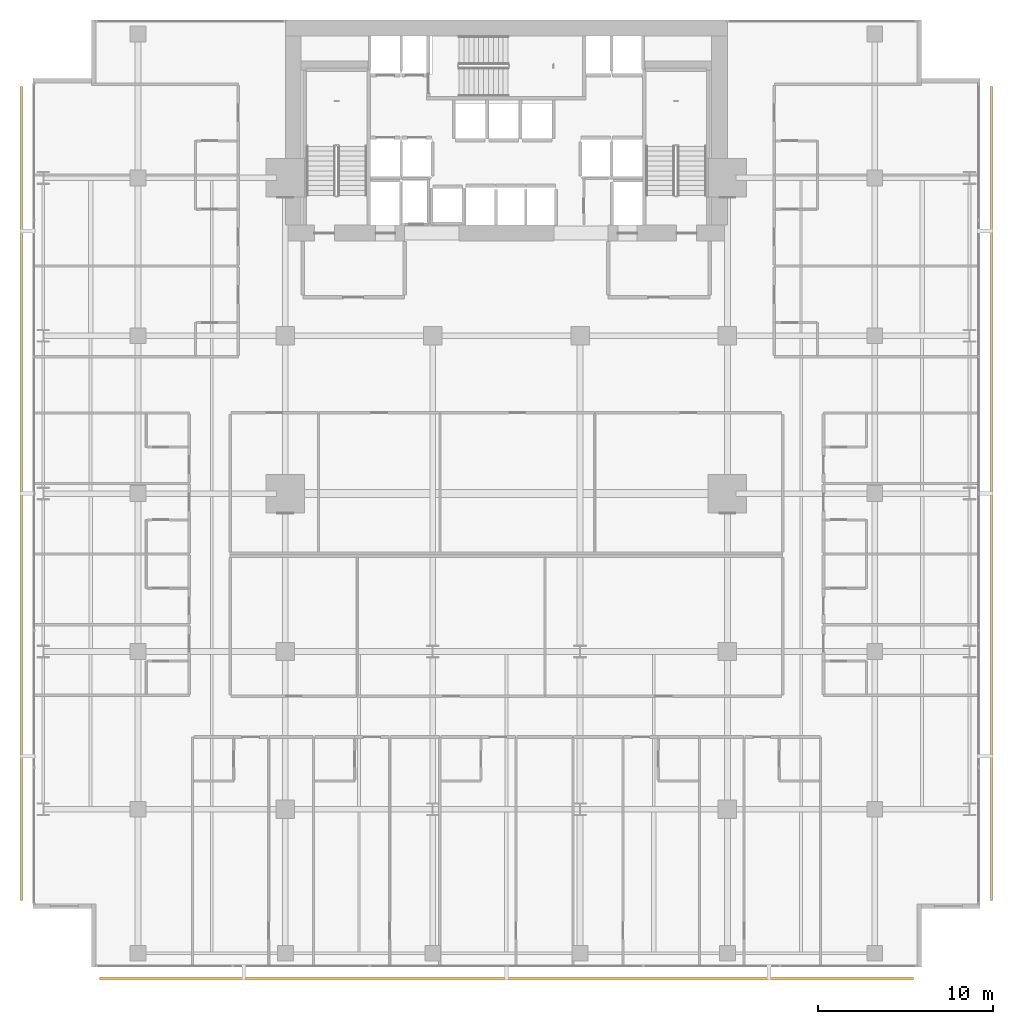
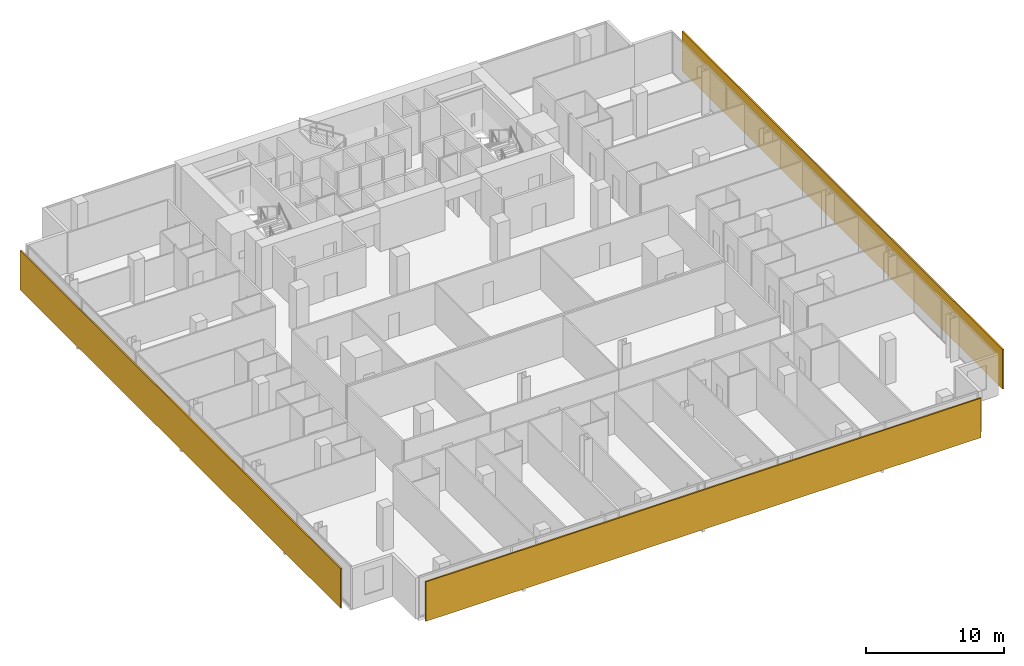
# One storey, part 39 of 40: 3 shading devices.
"""IFC4 building model written with IfcOpenShell, lengths in metres."""

import ifcopenshell
import ifcopenshell.guid

model = None  # the IFC model being written
_history = None  # IfcOwnerHistory: only IFC2X3 demands one
_inside = {}  # id of a spatial element -> (the spatial element, [elements in it])
_under = {}  # id of a project, library or spatial element -> (it, [spatial elements below it])
_declared = {}  # id of a project -> (the project, [libraries it declares])
_typed = {}  # id of a type object -> (the type object, [elements of that type])
_made_of = {}  # id of a material, layer set ... -> (it, [elements and type objects made of it])


def new_model(schema):
    """Start an empty IFC model of exactly this schema.

    Asked for "IFC4X3", IfcOpenShell would pick the latest addendum, in which some entities
    have other attributes; the version numbers below select the first issue.
    IFC2X3 requires an IfcOwnerHistory on every rooted entity: one is made here for all.
    """
    global model, _history
    if schema == "IFC4X3":
        model = ifcopenshell.file(schema_version=(4, 3, 0, 0))
    else:
        model = ifcopenshell.file(schema=schema)
    _inside.clear()
    _under.clear()
    _declared.clear()
    _typed.clear()
    _made_of.clear()
    _history = None
    if model.schema == "IFC2X3":
        org = make("IfcOrganization", Name="unknown")
        user = make(
            "IfcPersonAndOrganization",
            ThePerson=make("IfcPerson", FamilyName="unknown"),
            TheOrganization=org,
        )
        app = make(
            "IfcApplication",
            ApplicationDeveloper=org,
            Version="unknown",
            ApplicationFullName="unknown",
            ApplicationIdentifier="unknown",
        )
        _history = make(
            "IfcOwnerHistory",
            OwningUser=user,
            OwningApplication=app,
            ChangeAction="ADDED",
            CreationDate=0,
        )
    return model


def make(cls, **values):
    """One entity of the class cls with the attributes given. An attribute that is None is left unset."""
    return model.create_entity(
        cls, **{name: value for name, value in values.items() if value is not None}
    )


def rooted(cls, **values):
    """An entity with a GlobalId (a new one), such as an element, a storey or a relation."""
    return make(cls, GlobalId=ifcopenshell.guid.new(), OwnerHistory=_history, **values)


def si_unit(unit_type, name, prefix=None):
    """IfcSIUnit, for example si_unit("LENGTHUNIT", "METRE", prefix="MILLI")."""
    return make("IfcSIUnit", UnitType=unit_type, Prefix=prefix, Name=name)


def assignment(units):
    """IfcUnitAssignment: the units of a project."""
    return None if units is None else make("IfcUnitAssignment", Units=units)


def point(xyz):
    """IfcCartesianPoint."""
    return None if xyz is None else make("IfcCartesianPoint", Coordinates=xyz)


def direction(xyz):
    """IfcDirection."""
    return None if xyz is None else make("IfcDirection", DirectionRatios=xyz)


def frame(location, z_axis=None, x_axis=None):
    """IfcAxis2Placement3D, a coordinate frame: its origin and axes. An axis left out is left unset."""
    return make(
        "IfcAxis2Placement3D",
        Location=point(location),
        Axis=direction(z_axis),
        RefDirection=direction(x_axis),
    )


def frame_2d(location, x_axis=None):
    """IfcAxis2Placement2D, a coordinate frame in the plane: its origin and x axis."""
    return make(
        "IfcAxis2Placement2D", Location=point(location), RefDirection=direction(x_axis)
    )


def origin():
    """The frame at (0, 0, 0) with its axes left unset."""
    return frame((0.0, 0.0, 0.0))


def origin_2d():
    """The frame at (0, 0) in the plane with its x axis left unset."""
    return frame_2d((0.0, 0.0))


def place(relative_to, where):
    """IfcLocalPlacement: puts the frame where relative to a parent placement (None: the world)."""
    return make(
        "IfcLocalPlacement", PlacementRelTo=relative_to, RelativePlacement=where
    )


def context(
    kind, dimensions, precision=None, world=None, true_north=None, identifier=None
):
    """IfcGeometricRepresentationContext, for example the 3D "Model" context."""
    return make(
        "IfcGeometricRepresentationContext",
        ContextIdentifier=identifier,
        ContextType=kind,
        CoordinateSpaceDimension=dimensions,
        Precision=precision,
        WorldCoordinateSystem=world,
        TrueNorth=true_north,
    )


def subcontext(parent, identifier, kind, view, scale=None):
    """IfcGeometricRepresentationSubContext, for example "Body" below "Model"."""
    return make(
        "IfcGeometricRepresentationSubContext",
        ContextIdentifier=identifier,
        ContextType=kind,
        ParentContext=parent,
        TargetScale=scale,
        TargetView=view,
    )


def project(units=None, contexts=None):
    """IfcProject with its units and contexts."""
    return rooted(
        "IfcProject",
        Name="project",
        RepresentationContexts=contexts,
        UnitsInContext=assignment(units),
    )


def spatial(cls, under=None, at=None, **own):
    """A site, building, storey or space (cls), placed at a placement, below another one or the project."""
    s = rooted(cls, ObjectPlacement=at, **own)
    if under is not None:
        _under.setdefault(under.id(), (under, []))[1].append(s)
    return s


def profile(cls, at=None, kind="AREA", **sizes):
    """A parametric profile (cls). Its sizes go by their IFC names, for example OverallWidth=200.0."""
    return make(cls, ProfileType=kind, Position=at, **sizes)


def rectangle(**sizes):
    """IfcRectangleProfileDef."""
    return profile("IfcRectangleProfileDef", **sizes)


def extrude(swept, where, along, depth):
    """IfcExtrudedAreaSolid: the profile swept, set in the frame where, extruded along a direction by depth."""
    return make(
        "IfcExtrudedAreaSolid",
        SweptArea=swept,
        Position=where,
        ExtrudedDirection=direction(along),
        Depth=depth,
    )


def shape(context_of_items, identifier, shape_type, items):
    """IfcShapeRepresentation: the items that make up one representation, for example the "Body"."""
    return make(
        "IfcShapeRepresentation",
        ContextOfItems=context_of_items,
        RepresentationIdentifier=identifier,
        RepresentationType=shape_type,
        Items=items,
    )


def material(Name=None, Category=None):
    """IfcMaterial."""
    return make("IfcMaterial", Name=Name, Category=Category)


def layer(
    of_material, thickness, ventilated=None, Name=None, Category=None, Priority=None
):
    """IfcMaterialLayer: one layer of a wall or slab, of a material (None: an air gap)."""
    return make(
        "IfcMaterialLayer",
        Material=of_material,
        LayerThickness=thickness,
        IsVentilated=ventilated,
        Name=Name,
        Category=Category,
        Priority=Priority,
    )


def layer_set(layers, Name=None):
    """IfcMaterialLayerSet."""
    return make("IfcMaterialLayerSet", MaterialLayers=layers, LayerSetName=Name)


def made_of(thing, what):
    """Note that an element or type object is made of a material, layer set ...; save() writes the relation."""
    if what is not None:
        _made_of.setdefault(what.id(), (what, []))[1].append(thing)
    return thing


def type_object(cls, material=None, **own):
    """A type object (cls), such as IfcWallType, which elements share."""
    return made_of(rooted(cls, **own), material)


def element(
    cls,
    number,
    at=None,
    inside=None,
    cuts=None,
    type_object=None,
    material=None,
    context=None,
    identifier="Body",
    shape_type=None,
    held_by="IfcProductDefinitionShape",
    body=None,
    shapes=None,
    **own,
):
    """One element of the class cls, such as IfcWall. Its Tag is "e" and its number.

    at: its placement. inside: the storey or other place that contains it. cuts: it is an
    opening in that element (IfcRelVoidsElement). A single representation is given by context,
    identifier, shape_type and body (its items); several are given by shapes. held_by: the class
    of the entity that holds the representations. save() writes the other relations.
    """
    e = rooted(cls, Tag="e%d" % number, ObjectPlacement=at, **own)
    if body is not None:
        shapes = [shape(context, identifier, shape_type, body)]
    if shapes is not None:
        e.Representation = make(held_by, Representations=shapes)
    if inside is not None:
        _inside.setdefault(inside.id(), (inside, []))[1].append(e)
    if cuts is not None:
        rooted(
            "IfcRelVoidsElement", RelatingBuildingElement=cuts, RelatedOpeningElement=e
        )
    if type_object is not None:
        _typed.setdefault(type_object.id(), (type_object, []))[1].append(e)
    return made_of(e, material)


def aggregate(whole, parts):
    """IfcRelAggregates: a whole, such as a stair, and the parts it consists of."""
    return rooted("IfcRelAggregates", RelatingObject=whole, RelatedObjects=parts)


def save(model, path):
    """Write the relations noted so far, then the file.

    IfcRelAggregates (storeys below a building ...), IfcRelContainedInSpatialStructure (elements
    in a storey), IfcRelDefinesByType, IfcRelAssociatesMaterial and IfcRelDeclares: one each for
    every whole, place, type object, material and project.
    """
    for whole, parts in _under.values():
        aggregate(whole, parts)
    for where, things in _inside.values():
        rooted(
            "IfcRelContainedInSpatialStructure",
            RelatedElements=things,
            RelatingStructure=where,
        )
    for kind, things in _typed.values():
        rooted("IfcRelDefinesByType", RelatedObjects=things, RelatingType=kind)
    for what, things in _made_of.values():
        rooted("IfcRelAssociatesMaterial", RelatedObjects=things, RelatingMaterial=what)
    for by, libraries in _declared.values():
        rooted("IfcRelDeclares", RelatingContext=by, RelatedDefinitions=libraries)
    model.write(path)


model = new_model("IFC4")

# Units and contexts
model_context = context("Model", 3, precision=1e-05, world=origin(), true_north=direction((0.0, 1.0)))
body_context = subcontext(model_context, "Body", "Model", "MODEL_VIEW")
ifc_project = project(units=[si_unit("LENGTHUNIT", "METRE"), si_unit("AREAUNIT", "SQUARE_METRE"), si_unit("VOLUMEUNIT", "CUBIC_METRE"), si_unit("PLANEANGLEUNIT", "RADIAN"), si_unit("MASSUNIT", "GRAM", prefix="KILO")], contexts=[model_context])

# Site, building, storey
site_placement = place(None, origin())
site = spatial("IfcSite", under=ifc_project, at=site_placement, CompositionType="ELEMENT")
building_placement = place(site_placement, origin())
building = spatial("IfcBuilding", under=site, at=building_placement, Name="Maruvema Waterfront Hotel and Observation Tower", CompositionType="ELEMENT")
storey_placement = place(building_placement, frame((0.0, 0.0, 80.85009765625)))
storey = spatial("IfcBuildingStorey", under=building, at=storey_placement, Name="L19", CompositionType="ELEMENT", Elevation=80.85009765625)

# Shading devices
ifc_material = material(Name="Honed travertine stone and anodised architectural bronze", Category="masonry")
ifc_layer = layer(ifc_material, 0.1201171875, Name="Ventilated Outer Skin Cobogo Stone-and-Bronze Screen 120 mm")
ifc_layer_set = layer_set([ifc_layer], Name="Honed travertine stone and anodised architectural bronze")
shading_device_type = type_object("IfcShadingDeviceType", Name="Ventilated Outer Skin Cobogo Stone-and-Bronze Screen 120 mm", PredefinedType="USERDEFINED", material=ifc_layer_set)
for number, where, z_axis, x_axis, name in (
    (1, (37.800048828125, -0.64990234375, 0.06005859375), (0.0, 0.0, 1.0), (1.0, 0.0, 0.0), "L19 Ventilated Double-Skin Outer Cobogo Screen OS-L19-S"),
    (2, (65.449951171875, 27.0, 0.06005859375), (0.0, 0.0, 1.0), (0.0, 1.0, 0.0), "L19 Ventilated Double-Skin Outer Cobogo Screen OS-L19-E"),
    (3, (10.14990234375, 27.0, 0.06005859375), (0.0, 0.0, 1.0), (0.0, -1.0, 0.0), "L19 Ventilated Double-Skin Outer Cobogo Screen OS-L19-W"),
):
    element("IfcShadingDevice", number, at=place(storey_placement, frame(where, z_axis=z_axis, x_axis=x_axis)), inside=storey, type_object=shading_device_type, Name=name, ObjectType="OUTER SKIN SCREEN", PredefinedType="USERDEFINED", context=body_context, shape_type="SweptSolid", body=[
        extrude(rectangle(XDim=46.39990234375, YDim=0.1201171875, at=origin_2d()), origin(), (0.0, 0.0, 1.0), 3.489990234375),
    ])

save(model, "model.ifc")
